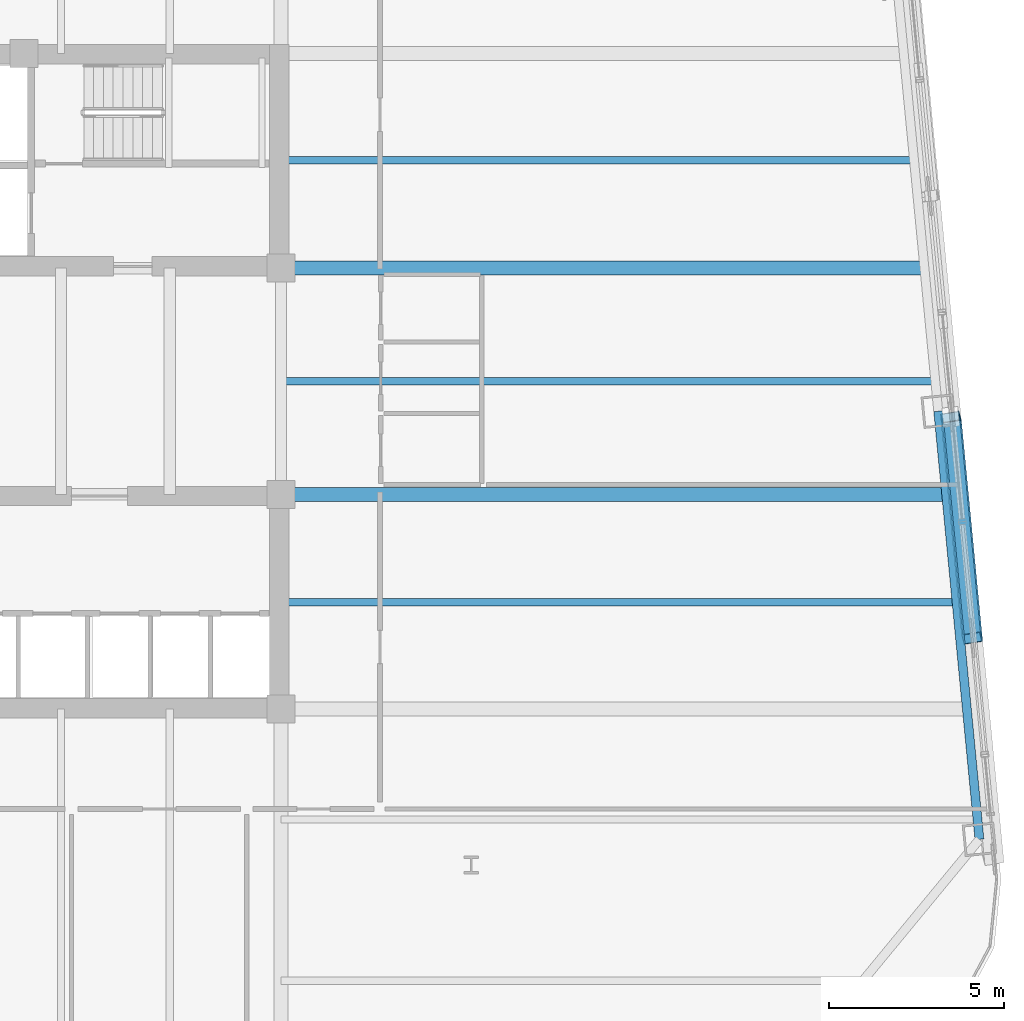
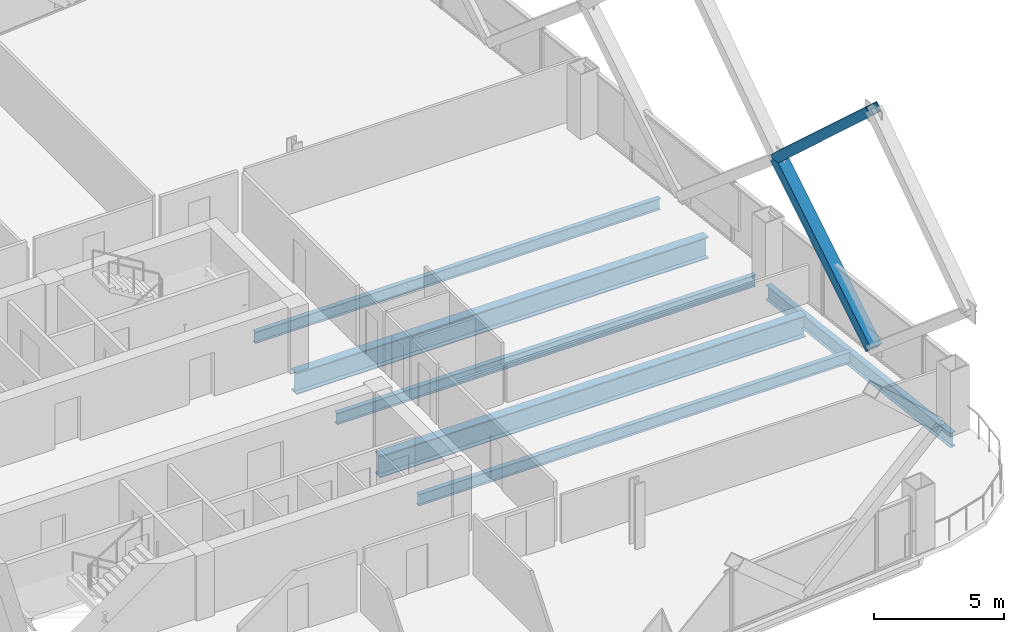
# One storey, part 15 of 32: 6 beams, 2 members.
"""IFC4 building model written with IfcOpenShell, lengths in metres."""

import ifcopenshell
import ifcopenshell.guid

model = None  # the IFC model being written
_history = None  # IfcOwnerHistory: only IFC2X3 demands one
_inside = {}  # id of a spatial element -> (the spatial element, [elements in it])
_under = {}  # id of a project, library or spatial element -> (it, [spatial elements below it])
_declared = {}  # id of a project -> (the project, [libraries it declares])
_typed = {}  # id of a type object -> (the type object, [elements of that type])
_made_of = {}  # id of a material, layer set ... -> (it, [elements and type objects made of it])


def new_model(schema):
    """Start an empty IFC model of exactly this schema.

    Asked for "IFC4X3", IfcOpenShell would pick the latest addendum, in which some entities
    have other attributes; the version numbers below select the first issue.
    IFC2X3 requires an IfcOwnerHistory on every rooted entity: one is made here for all.
    """
    global model, _history
    if schema == "IFC4X3":
        model = ifcopenshell.file(schema_version=(4, 3, 0, 0))
    else:
        model = ifcopenshell.file(schema=schema)
    _inside.clear()
    _under.clear()
    _declared.clear()
    _typed.clear()
    _made_of.clear()
    _history = None
    if model.schema == "IFC2X3":
        org = make("IfcOrganization", Name="unknown")
        user = make(
            "IfcPersonAndOrganization",
            ThePerson=make("IfcPerson", FamilyName="unknown"),
            TheOrganization=org,
        )
        app = make(
            "IfcApplication",
            ApplicationDeveloper=org,
            Version="unknown",
            ApplicationFullName="unknown",
            ApplicationIdentifier="unknown",
        )
        _history = make(
            "IfcOwnerHistory",
            OwningUser=user,
            OwningApplication=app,
            ChangeAction="ADDED",
            CreationDate=0,
        )
    return model


def make(cls, **values):
    """One entity of the class cls with the attributes given. An attribute that is None is left unset."""
    return model.create_entity(
        cls, **{name: value for name, value in values.items() if value is not None}
    )


def rooted(cls, **values):
    """An entity with a GlobalId (a new one), such as an element, a storey or a relation."""
    return make(cls, GlobalId=ifcopenshell.guid.new(), OwnerHistory=_history, **values)


def si_unit(unit_type, name, prefix=None):
    """IfcSIUnit, for example si_unit("LENGTHUNIT", "METRE", prefix="MILLI")."""
    return make("IfcSIUnit", UnitType=unit_type, Prefix=prefix, Name=name)


def assignment(units):
    """IfcUnitAssignment: the units of a project."""
    return None if units is None else make("IfcUnitAssignment", Units=units)


def point(xyz):
    """IfcCartesianPoint."""
    return None if xyz is None else make("IfcCartesianPoint", Coordinates=xyz)


def direction(xyz):
    """IfcDirection."""
    return None if xyz is None else make("IfcDirection", DirectionRatios=xyz)


def frame(location, z_axis=None, x_axis=None):
    """IfcAxis2Placement3D, a coordinate frame: its origin and axes. An axis left out is left unset."""
    return make(
        "IfcAxis2Placement3D",
        Location=point(location),
        Axis=direction(z_axis),
        RefDirection=direction(x_axis),
    )


def frame_2d(location, x_axis=None):
    """IfcAxis2Placement2D, a coordinate frame in the plane: its origin and x axis."""
    return make(
        "IfcAxis2Placement2D", Location=point(location), RefDirection=direction(x_axis)
    )


def origin():
    """The frame at (0, 0, 0) with its axes left unset."""
    return frame((0.0, 0.0, 0.0))


def origin_2d():
    """The frame at (0, 0) in the plane with its x axis left unset."""
    return frame_2d((0.0, 0.0))


def place(relative_to, where):
    """IfcLocalPlacement: puts the frame where relative to a parent placement (None: the world)."""
    return make(
        "IfcLocalPlacement", PlacementRelTo=relative_to, RelativePlacement=where
    )


def context(
    kind, dimensions, precision=None, world=None, true_north=None, identifier=None
):
    """IfcGeometricRepresentationContext, for example the 3D "Model" context."""
    return make(
        "IfcGeometricRepresentationContext",
        ContextIdentifier=identifier,
        ContextType=kind,
        CoordinateSpaceDimension=dimensions,
        Precision=precision,
        WorldCoordinateSystem=world,
        TrueNorth=true_north,
    )


def subcontext(parent, identifier, kind, view, scale=None):
    """IfcGeometricRepresentationSubContext, for example "Body" below "Model"."""
    return make(
        "IfcGeometricRepresentationSubContext",
        ContextIdentifier=identifier,
        ContextType=kind,
        ParentContext=parent,
        TargetScale=scale,
        TargetView=view,
    )


def project(units=None, contexts=None):
    """IfcProject with its units and contexts."""
    return rooted(
        "IfcProject",
        Name="project",
        RepresentationContexts=contexts,
        UnitsInContext=assignment(units),
    )


def spatial(cls, under=None, at=None, **own):
    """A site, building, storey or space (cls), placed at a placement, below another one or the project."""
    s = rooted(cls, ObjectPlacement=at, **own)
    if under is not None:
        _under.setdefault(under.id(), (under, []))[1].append(s)
    return s


def profile(cls, at=None, kind="AREA", **sizes):
    """A parametric profile (cls). Its sizes go by their IFC names, for example OverallWidth=200.0."""
    return make(cls, ProfileType=kind, Position=at, **sizes)


def hollow_rectangle(**sizes):
    """IfcRectangleHollowProfileDef."""
    return profile("IfcRectangleHollowProfileDef", **sizes)


def i_section(**sizes):
    """IfcIShapeProfileDef."""
    return profile("IfcIShapeProfileDef", **sizes)


def extrude(swept, where, along, depth):
    """IfcExtrudedAreaSolid: the profile swept, set in the frame where, extruded along a direction by depth."""
    return make(
        "IfcExtrudedAreaSolid",
        SweptArea=swept,
        Position=where,
        ExtrudedDirection=direction(along),
        Depth=depth,
    )


def shape(context_of_items, identifier, shape_type, items):
    """IfcShapeRepresentation: the items that make up one representation, for example the "Body"."""
    return make(
        "IfcShapeRepresentation",
        ContextOfItems=context_of_items,
        RepresentationIdentifier=identifier,
        RepresentationType=shape_type,
        Items=items,
    )


def material(Name=None, Category=None):
    """IfcMaterial."""
    return make("IfcMaterial", Name=Name, Category=Category)


def material_profile(
    of_material, cross_section, Name=None, Category=None, Priority=None
):
    """IfcMaterialProfile: a cross section and its material."""
    return make(
        "IfcMaterialProfile",
        Name=Name,
        Material=of_material,
        Profile=cross_section,
        Priority=Priority,
        Category=Category,
    )


def profile_set(profiles, Name=None, composite=None):
    """IfcMaterialProfileSet."""
    return make(
        "IfcMaterialProfileSet",
        Name=Name,
        MaterialProfiles=profiles,
        CompositeProfile=composite,
    )


def made_of(thing, what):
    """Note that an element or type object is made of a material, layer set ...; save() writes the relation."""
    if what is not None:
        _made_of.setdefault(what.id(), (what, []))[1].append(thing)
    return thing


def type_object(cls, material=None, **own):
    """A type object (cls), such as IfcWallType, which elements share."""
    return made_of(rooted(cls, **own), material)


def element(
    cls,
    number,
    at=None,
    inside=None,
    cuts=None,
    type_object=None,
    material=None,
    context=None,
    identifier="Body",
    shape_type=None,
    held_by="IfcProductDefinitionShape",
    body=None,
    shapes=None,
    **own,
):
    """One element of the class cls, such as IfcWall. Its Tag is "e" and its number.

    at: its placement. inside: the storey or other place that contains it. cuts: it is an
    opening in that element (IfcRelVoidsElement). A single representation is given by context,
    identifier, shape_type and body (its items); several are given by shapes. held_by: the class
    of the entity that holds the representations. save() writes the other relations.
    """
    e = rooted(cls, Tag="e%d" % number, ObjectPlacement=at, **own)
    if body is not None:
        shapes = [shape(context, identifier, shape_type, body)]
    if shapes is not None:
        e.Representation = make(held_by, Representations=shapes)
    if inside is not None:
        _inside.setdefault(inside.id(), (inside, []))[1].append(e)
    if cuts is not None:
        rooted(
            "IfcRelVoidsElement", RelatingBuildingElement=cuts, RelatedOpeningElement=e
        )
    if type_object is not None:
        _typed.setdefault(type_object.id(), (type_object, []))[1].append(e)
    return made_of(e, material)


def aggregate(whole, parts):
    """IfcRelAggregates: a whole, such as a stair, and the parts it consists of."""
    return rooted("IfcRelAggregates", RelatingObject=whole, RelatedObjects=parts)


def save(model, path):
    """Write the relations noted so far, then the file.

    IfcRelAggregates (storeys below a building ...), IfcRelContainedInSpatialStructure (elements
    in a storey), IfcRelDefinesByType, IfcRelAssociatesMaterial and IfcRelDeclares: one each for
    every whole, place, type object, material and project.
    """
    for whole, parts in _under.values():
        aggregate(whole, parts)
    for where, things in _inside.values():
        rooted(
            "IfcRelContainedInSpatialStructure",
            RelatedElements=things,
            RelatingStructure=where,
        )
    for kind, things in _typed.values():
        rooted("IfcRelDefinesByType", RelatedObjects=things, RelatingType=kind)
    for what, things in _made_of.values():
        rooted("IfcRelAssociatesMaterial", RelatedObjects=things, RelatingMaterial=what)
    for by, libraries in _declared.values():
        rooted("IfcRelDeclares", RelatingContext=by, RelatedDefinitions=libraries)
    model.write(path)


model = new_model("IFC4")

# Units and contexts
model_context = context("Model", 3, precision=1e-05, world=origin(), true_north=direction((0.0, 1.0)))
body_context = subcontext(model_context, "Body", "Model", "MODEL_VIEW")
ifc_project = project(units=[si_unit("LENGTHUNIT", "METRE"), si_unit("AREAUNIT", "SQUARE_METRE"), si_unit("VOLUMEUNIT", "CUBIC_METRE"), si_unit("PLANEANGLEUNIT", "RADIAN"), si_unit("MASSUNIT", "GRAM", prefix="KILO")], contexts=[model_context])

# Site, building, storey
site_placement = place(None, origin())
site = spatial("IfcSite", under=ifc_project, at=site_placement, CompositionType="ELEMENT")
building_placement = place(site_placement, origin())
building = spatial("IfcBuilding", under=site, at=building_placement, Name="Qhalaya Broadcast Tower", CompositionType="ELEMENT")
storey_placement = place(building_placement, frame((0.0, 0.0, 81.64990234375)))
storey = spatial("IfcBuildingStorey", under=building, at=storey_placement, Name="L23", CompositionType="ELEMENT", Elevation=81.64990234375)

# Beams
ifc_material_1 = material(Name="Structural Steel ASTM A992 Grade 50", Category="steel")
ifc_material_profile_1 = material_profile(ifc_material_1, i_section(OverallWidth=0.2099609375, OverallDepth=0.535888671875, WebThickness=0.010986328125, FlangeThickness=0.017333984375, at=origin_2d()), Name="W21X68")
ifc_profile_set_1 = profile_set([ifc_material_profile_1], Name="Structural Steel ASTM A992 Grade 50")
beam_type_1 = type_object("IfcBeamType", Name="Composite Floor Joist J02", PredefinedType="JOIST", material=ifc_profile_set_1)
beam_1_placement = place(storey_placement, frame((9.375, -5.699951171875, -0.48779296875), z_axis=(1.0, 0.0, 0.0), x_axis=(0.0, 1.0, 0.0)))
element("IfcBeam", 1, at=beam_1_placement, inside=storey, type_object=beam_type_1, Name="L23 J02 L23-JWE3E-1", PredefinedType="JOIST", context=body_context, shape_type="SweptSolid", body=[
    extrude(i_section(OverallWidth=0.2099609375, OverallDepth=0.535888671875, WebThickness=0.010986328125, FlangeThickness=0.017333984375, at=origin_2d()), origin(), (0.0, 0.0, 1.0), 19.24609375),
])
beam_2_placement = place(storey_placement, frame((9.375, 0.60009765625, -0.48779296875), z_axis=(1.0, 0.0, 0.0), x_axis=(0.0, 1.0, 0.0)))
element("IfcBeam", 2, at=beam_2_placement, inside=storey, type_object=beam_type_1, Name="L23 J02 L23-JWE4E-1", PredefinedType="JOIST", context=body_context, shape_type="SweptSolid", body=[
    extrude(i_section(OverallWidth=0.2099609375, OverallDepth=0.535888671875, WebThickness=0.010986328125, FlangeThickness=0.017333984375, at=origin_2d()), origin(), (0.0, 0.0, 1.0), 18.639404296875),
])
beam_3_placement = place(storey_placement, frame((9.375, 6.89990234375, -0.48779296875), z_axis=(1.0, 0.0, 0.0), x_axis=(0.0, 1.0, 0.0)))
element("IfcBeam", 3, at=beam_3_placement, inside=storey, type_object=beam_type_1, Name="L23 J02 L23-JWE5E-1", PredefinedType="JOIST", context=body_context, shape_type="SweptSolid", body=[
    extrude(i_section(OverallWidth=0.2099609375, OverallDepth=0.535888671875, WebThickness=0.010986328125, FlangeThickness=0.017333984375, at=origin_2d()), origin(), (0.0, 0.0, 1.0), 18.03271484375),
])

# Members
ifc_material_2 = material(Name="Structural Steel ASTM A572 Grade 50", Category="steel")
ifc_material_profile_2 = material_profile(ifc_material_2, hollow_rectangle(XDim=0.419921875, YDim=0.550048828125, WallThickness=0.028076171875, at=origin_2d()), Name="BOX 420x550x28")
ifc_profile_set_2 = profile_set([ifc_material_profile_2], Name="Structural Steel ASTM A572 Grade 50")
member_type = type_object("IfcMemberType", Name="Exoskeleton Diamond Diagonal Mid-Low EX2", PredefinedType="BRACE", material=ifc_profile_set_2)
member_1_placement = place(storey_placement, frame((29.08154296875, -6.725830078125, 0.360107421875), z_axis=(-0.073037413912, 0.758637209183, 0.647406457345), x_axis=(0.157160868222, -0.632274975342, 0.758636155912)))
element("IfcMember", 4, at=member_1_placement, inside=storey, type_object=member_type, Name="B2 Exoskeleton Diamond Brace E1-D2", PredefinedType="BRACE", context=body_context, shape_type="SweptSolid", body=[
    extrude(hollow_rectangle(XDim=0.419921875, YDim=0.550048828125, WallThickness=0.028076171875, at=origin_2d()), origin(), (0.0, 0.0, 1.0), 8.309814453125),
])
member_2_placement = place(storey_placement, frame((28.474609375, -0.421630859375, 5.739990234375), z_axis=(0.070340028415, -0.730619555004, 0.679151931638), x_axis=(-0.160189075689, 0.663728866417, 0.730618540632)))
element("IfcMember", 5, at=member_2_placement, inside=storey, type_object=member_type, Name="B2 Exoskeleton Diamond Brace E1-D4", PredefinedType="BRACE", context=body_context, shape_type="SweptSolid", body=[
    extrude(hollow_rectangle(XDim=0.419921875, YDim=0.550048828125, WallThickness=0.028076171875, at=origin_2d()), origin(), (0.0, 0.0, 1.0), 8.628662109375),
])

# Beams
ifc_material_profile_3 = material_profile(ifc_material_1, i_section(OverallWidth=0.40087890625, OverallDepth=1.010986328125, WebThickness=0.023681640625, FlangeThickness=0.0419921875, at=origin_2d()), Name="W40X297")
ifc_profile_set_3 = profile_set([ifc_material_profile_3], Name="Structural Steel ASTM A992 Grade 50")
beam_type_2 = type_object("IfcBeamType", Name="Lower Block Primary Girder PG2", PredefinedType="USERDEFINED", material=ifc_profile_set_3)
beam_4_placement = place(storey_placement, frame((9.375, -2.625, -0.725341796875), z_axis=(1.0, 0.0, 0.0), x_axis=(0.0, 1.0, 0.0)))
element("IfcBeam", 6, at=beam_4_placement, inside=storey, type_object=beam_type_2, Name="L23 PG2 L23-PGYE2-1", ObjectType="GIRDER", PredefinedType="USERDEFINED", context=body_context, shape_type="SweptSolid", body=[
    extrude(i_section(OverallWidth=0.40087890625, OverallDepth=1.010986328125, WebThickness=0.023681640625, FlangeThickness=0.0419921875, at=origin_2d()), origin(), (0.0, 0.0, 1.0), 18.949951171875),
])
beam_5_placement = place(storey_placement, frame((9.375, 3.824951171875, -0.725341796875), z_axis=(1.0, 0.0, 0.0), x_axis=(0.0, 1.0, 0.0)))
element("IfcBeam", 7, at=beam_5_placement, inside=storey, type_object=beam_type_2, Name="L23 PG2 L23-PGYE3-1", ObjectType="GIRDER", PredefinedType="USERDEFINED", context=body_context, shape_type="SweptSolid", body=[
    extrude(i_section(OverallWidth=0.40087890625, OverallDepth=1.010986328125, WebThickness=0.023681640625, FlangeThickness=0.0419921875, at=origin_2d()), origin(), (0.0, 0.0, 1.0), 18.328857421875),
])
ifc_material_profile_4 = material_profile(ifc_material_1, i_section(OverallWidth=0.25390625, OverallDepth=0.68310546875, WebThickness=0.012451171875, FlangeThickness=0.01904296875, at=origin_2d()), Name="W27X94")
ifc_profile_set_4 = profile_set([ifc_material_profile_4], Name="Structural Steel ASTM A992 Grade 50")
beam_type_3 = type_object("IfcBeamType", Name="Perimeter Ring Spandrel Beam SP1", PredefinedType="SPANDREL", material=ifc_profile_set_4)
beam_6_placement = place(storey_placement, frame((29.29248046875, -12.46533203125, -0.5615234375), z_axis=(-0.095831866369, 0.995397535354, 0.0), x_axis=(-0.995397535354, -0.095831866369, 0.0)))
element("IfcBeam", 8, at=beam_6_placement, inside=storey, type_object=beam_type_3, Name="L23 SP1 L23-SPR-05", PredefinedType="SPANDREL", context=body_context, shape_type="SweptSolid", body=[
    extrude(i_section(OverallWidth=0.25390625, OverallDepth=0.68310546875, WebThickness=0.012451171875, FlangeThickness=0.01904296875, at=origin_2d()), origin(), (0.0, 0.0, 1.0), 12.2666015625),
])

save(model, "model.ifc")
